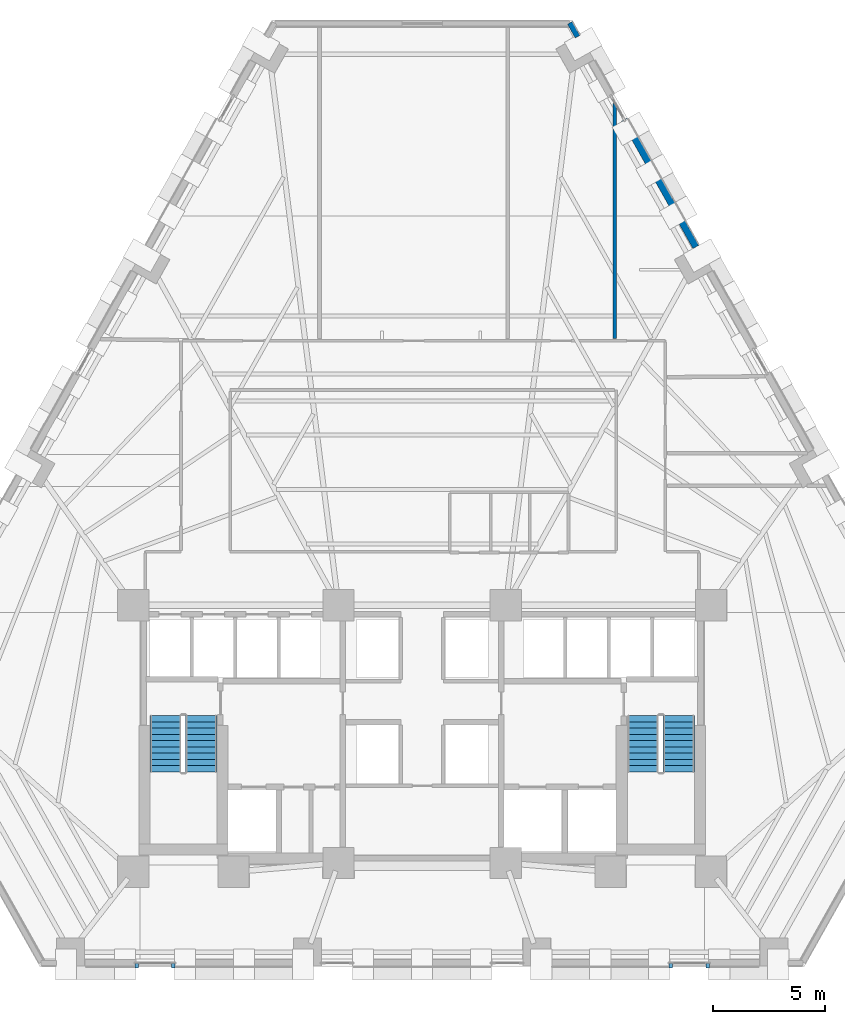
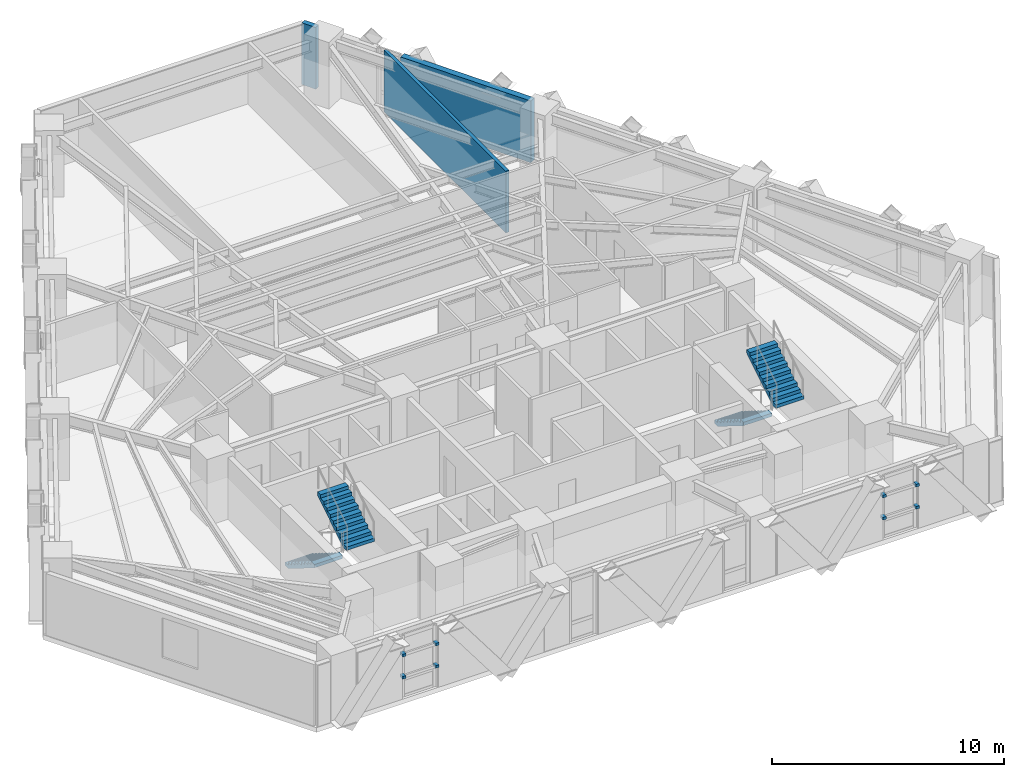
# One storey, part 9 of 13: 8 discrete accessories, 4 stair flights, 3 walls, 2 elements without a shape of their own.
"""IFC4 building model written with IfcOpenShell, lengths in metres."""

from ifc_helpers import new_model, si_unit, direction, frame, frame_2d, origin, origin_2d, place, context, subcontext, project, spatial, polyline, rectangle, outline, extrude, material, layer, layer_set, type_object, element, aggregate, save


model = new_model("IFC4")

# Units and contexts
model_context = context("Model", 3, precision=1e-05, world=origin(), true_north=direction((0.0, 1.0)))
body_context = subcontext(model_context, "Body", "Model", "MODEL_VIEW")
ifc_project = project(units=[si_unit("LENGTHUNIT", "METRE"), si_unit("AREAUNIT", "SQUARE_METRE"), si_unit("VOLUMEUNIT", "CUBIC_METRE"), si_unit("PLANEANGLEUNIT", "RADIAN"), si_unit("MASSUNIT", "GRAM", prefix="KILO")], contexts=[model_context])

# Site, building, storey
site_placement = place(None, origin())
site = spatial("IfcSite", under=ifc_project, at=site_placement, CompositionType="ELEMENT")
building_placement = place(site_placement, origin())
building = spatial("IfcBuilding", under=site, at=building_placement, Name="Quenlor Broadcast Tower", CompositionType="ELEMENT")
storey_placement = place(building_placement, frame((0.0, 0.0, 69.60009765625)))
storey = spatial("IfcBuildingStorey", under=building, at=storey_placement, Name="L18", CompositionType="ELEMENT", Elevation=69.60009765625)

# Walls
ifc_material_1 = material(Name="Gypsum Fireboard Partition", Category="other")
ifc_layer_1 = layer(ifc_material_1, 0.159912109375)
ifc_layer_set_1 = layer_set([ifc_layer_1], Name="Fire Rated Shaft and Corridor Partition 160")
wall_type_1 = type_object("IfcWallType", Name="Fire Rated Shaft and Corridor Partition 160", PredefinedType="PARTITIONING", material=ifc_layer_set_1)
wall_1_placement = place(storey_placement, frame((8.639892578125, 17.693115234375, 0.0), z_axis=(0.0, 0.0, 1.0), x_axis=(0.0, -1.0, 0.0)))
element("IfcWall", 1, at=wall_1_placement, inside=storey, type_object=wall_type_1, Name="L18 Interior Wall PW-DV-03", PredefinedType="PARTITIONING", context=body_context, shape_type="SweptSolid", body=[
    extrude(rectangle(XDim=10.533203125, YDim=0.159912109375, at=frame_2d((5.2666015625, 0.0))), origin(), (0.0, 0.0, 1.0), 3.25),
])
ifc_material_2 = material(Name="Precast concrete C40/50", Category="concrete")
ifc_layer_2 = layer(ifc_material_2, 0.239990234375)
ifc_layer_set_2 = layer_set([ifc_layer_2], Name="Terrace Threshold Precast Concrete C40/50 Wall 240")
wall_type_2 = type_object("IfcWallType", Name="Terrace Threshold Precast Concrete C40/50 Wall 240", PredefinedType="STANDARD", material=ifc_layer_set_2)
wall_2_placement = place(storey_placement, frame((6.621826171875, 21.30126953125, 0.0), z_axis=(0.0, 0.0, 1.0), x_axis=(0.490261239633, -0.871575537125, 0.0)))
element("IfcWall", 2, at=wall_2_placement, inside=storey, type_object=wall_type_2, Name="L18 Exterior Wall L18-SHD-NES0", PredefinedType="STANDARD", context=body_context, shape_type="SweptSolid", body=[
    extrude(rectangle(XDim=0.7080078125, YDim=0.239990234375, at=frame_2d((0.35400390625, 0.0))), origin(), (0.0, 0.0, 1.0), 3.25),
])
ifc_material_3 = material(Name="Precast concrete C40/50", Category="concrete")
ifc_layer_3 = layer(ifc_material_3, 0.300048828125)
ifc_layer_set_3 = layer_set([ifc_layer_3], Name="Terracotta Precast Concrete C40/50 Spandrel Wall 300")
wall_type_3 = type_object("IfcWallType", Name="Terracotta Precast Concrete C40/50 Spandrel Wall 300", PredefinedType="STANDARD", material=ifc_layer_set_3)
wall_3_placement = place(storey_placement, frame((9.0634765625, 16.9609375, 0.0), z_axis=(0.0, 0.0, 1.0), x_axis=(0.490261239633, -0.871575537125, 0.0)))
element("IfcWall", 3, at=wall_3_placement, inside=storey, type_object=wall_type_3, Name="L18 Exterior Wall L18-NEA-SP2", PredefinedType="STANDARD", context=body_context, shape_type="SweptSolid", body=[
    extrude(rectangle(XDim=6.54345703125, YDim=0.300048828125, at=frame_2d((3.271728515625, 0.0))), origin(), (0.0, 0.0, 1.0), 3.25),
])

# Stair, stair flights
ifc_material_4 = material(Name="Precast concrete C40/50", Category="concrete")
stair_type = type_object("IfcStairType", Name="Precast Concrete C40/50 Dogleg Stair H350", PredefinedType="HALF_TURN_STAIR", material=ifc_material_4)
stair_1_placement = place(storey_placement, origin())
stair_1 = element("IfcStair", 4, at=stair_1_placement, inside=storey, type_object=stair_type, Name="L18 West Core Fire-Isolated Exit Stair ST-1", PredefinedType="HALF_TURN_STAIR")
ifc_material_5 = material(Name="Precast concrete C40/50", Category="concrete")
ifc_layer_4 = layer(ifc_material_5, 0.159912109375)
ifc_layer_set_4 = layer_set([ifc_layer_4], Name="Precast Concrete C40/50 Stair Flight H350")
stair_flight_type = type_object("IfcStairFlightType", Name="Precast Concrete C40/50 Stair Flight H350", PredefinedType="STRAIGHT", material=ifc_layer_set_4)
stair_flight_1_placement = place(storey_placement, frame((-11.5, -9.75, 0.0), z_axis=(0.0, 0.0, 1.0), x_axis=(0.0, -1.0, 0.0)))
stair_flight_1 = element("IfcStairFlight", 5, at=stair_flight_1_placement, type_object=stair_flight_type, Name="ST-1 flight 1", NumberOfRisers=10, NumberOfTreads=9, PredefinedType="STRAIGHT", RiserHeight=0.175, TreadLength=0.28, context=body_context, shape_type="SweptSolid", body=[
    extrude(outline(polyline([(0.0, 0.0), (0.0, 0.175048828125), (0.280029296875, 0.175048828125), (0.280029296875, 0.35009765625), (0.56005859375, 0.35009765625), (0.56005859375, 0.52490234375), (0.840087890625, 0.52490234375), (0.840087890625, 0.699951171875), (1.1201171875, 0.699951171875), (1.1201171875, 0.875), (1.39990234375, 0.875), (1.39990234375, 1.050048828125), (1.679931640625, 1.050048828125), (1.679931640625, 1.22509765625), (1.9599609375, 1.22509765625), (1.9599609375, 1.39990234375), (2.239990234375, 1.39990234375), (2.239990234375, 1.574951171875), (2.52001953125, 1.574951171875), (2.52001953125, 1.75), (2.52001953125, 1.398193359375), (0.28271484375, 0.0), (0.0, 0.0)])), frame((0.0, 0.699951171875, 0.0), z_axis=(0.0, -1.0, 0.0), x_axis=(1.0, 0.0, 0.0)), (0.0, 0.0, 1.0), 1.39990234375),
])
stair_flight_2_placement = place(storey_placement, frame((-9.89990234375, -12.27001953125, 1.75), z_axis=(0.0, 0.0, 1.0), x_axis=(0.0, 1.0, 0.0)))
stair_flight_2 = element("IfcStairFlight", 6, at=stair_flight_2_placement, type_object=stair_flight_type, Name="ST-1 flight 2", NumberOfRisers=10, NumberOfTreads=9, PredefinedType="STRAIGHT", RiserHeight=0.175, TreadLength=0.28, context=body_context, shape_type="SweptSolid", body=[
    extrude(outline(polyline([(0.0, 0.0), (0.0, 0.175048828125), (0.280029296875, 0.175048828125), (0.280029296875, 0.35009765625), (0.56005859375, 0.35009765625), (0.56005859375, 0.52490234375), (0.840087890625, 0.52490234375), (0.840087890625, 0.699951171875), (1.1201171875, 0.699951171875), (1.1201171875, 0.875), (1.39990234375, 0.875), (1.39990234375, 1.050048828125), (1.679931640625, 1.050048828125), (1.679931640625, 1.22509765625), (1.9599609375, 1.22509765625), (1.9599609375, 1.39990234375), (2.239990234375, 1.39990234375), (2.239990234375, 1.574951171875), (2.52001953125, 1.574951171875), (2.52001953125, 1.75), (2.52001953125, 1.398193359375), (0.28271484375, 0.0), (0.0, 0.0)])), frame((0.0, 0.699951171875, 0.0), z_axis=(0.0, -1.0, 0.0), x_axis=(1.0, 0.0, 0.0)), (0.0, 0.0, 1.0), 1.39990234375),
])
aggregate(stair_1, [stair_flight_1, stair_flight_2])

stair_2_placement = place(storey_placement, origin())
stair_2 = element("IfcStair", 7, at=stair_2_placement, inside=storey, type_object=stair_type, Name="L18 East Core Fire-Isolated Exit Stair ST-2", PredefinedType="HALF_TURN_STAIR")
stair_flight_3_placement = place(storey_placement, frame((9.89990234375, -9.75, 0.0), z_axis=(0.0, 0.0, 1.0), x_axis=(0.0, -1.0, 0.0)))
stair_flight_3 = element("IfcStairFlight", 8, at=stair_flight_3_placement, type_object=stair_flight_type, Name="ST-2 flight 1", NumberOfRisers=10, NumberOfTreads=9, PredefinedType="STRAIGHT", RiserHeight=0.175, TreadLength=0.28, context=body_context, shape_type="SweptSolid", body=[
    extrude(outline(polyline([(0.0, 0.0), (0.0, 0.175048828125), (0.280029296875, 0.175048828125), (0.280029296875, 0.35009765625), (0.56005859375, 0.35009765625), (0.56005859375, 0.52490234375), (0.840087890625, 0.52490234375), (0.840087890625, 0.699951171875), (1.1201171875, 0.699951171875), (1.1201171875, 0.875), (1.39990234375, 0.875), (1.39990234375, 1.050048828125), (1.679931640625, 1.050048828125), (1.679931640625, 1.22509765625), (1.9599609375, 1.22509765625), (1.9599609375, 1.39990234375), (2.239990234375, 1.39990234375), (2.239990234375, 1.574951171875), (2.52001953125, 1.574951171875), (2.52001953125, 1.75), (2.52001953125, 1.398193359375), (0.28271484375, 0.0), (0.0, 0.0)])), frame((0.0, 0.699951171875, 0.0), z_axis=(0.0, -1.0, 0.0), x_axis=(1.0, 0.0, 0.0)), (0.0, 0.0, 1.0), 1.39990234375),
])
stair_flight_4_placement = place(storey_placement, frame((11.5, -12.27001953125, 1.75), z_axis=(0.0, 0.0, 1.0), x_axis=(0.0, 1.0, 0.0)))
stair_flight_4 = element("IfcStairFlight", 9, at=stair_flight_4_placement, type_object=stair_flight_type, Name="ST-2 flight 2", NumberOfRisers=10, NumberOfTreads=9, PredefinedType="STRAIGHT", RiserHeight=0.175, TreadLength=0.28, context=body_context, shape_type="SweptSolid", body=[
    extrude(outline(polyline([(0.0, 0.0), (0.0, 0.175048828125), (0.280029296875, 0.175048828125), (0.280029296875, 0.35009765625), (0.56005859375, 0.35009765625), (0.56005859375, 0.52490234375), (0.840087890625, 0.52490234375), (0.840087890625, 0.699951171875), (1.1201171875, 0.699951171875), (1.1201171875, 0.875), (1.39990234375, 0.875), (1.39990234375, 1.050048828125), (1.679931640625, 1.050048828125), (1.679931640625, 1.22509765625), (1.9599609375, 1.22509765625), (1.9599609375, 1.39990234375), (2.239990234375, 1.39990234375), (2.239990234375, 1.574951171875), (2.52001953125, 1.574951171875), (2.52001953125, 1.75), (2.52001953125, 1.398193359375), (0.28271484375, 0.0), (0.0, 0.0)])), frame((0.0, 0.699951171875, 0.0), z_axis=(0.0, -1.0, 0.0), x_axis=(1.0, 0.0, 0.0)), (0.0, 0.0, 1.0), 1.39990234375),
])
aggregate(stair_2, [stair_flight_3, stair_flight_4])

# Discrete accessories
ifc_material_6 = material(Name="Aluminium 6063-T6", Category="aluminium")
discrete_accessory_type = type_object("IfcDiscreteAccessoryType", Name="Stainless Mullion Baguette Support Bracket", PredefinedType="BRACKET", material=ifc_material_6)
for number, where, z_axis, x_axis, name in (
    (10, (12.794921875, -20.949951171875, 1.10009765625), (0.0, 0.0, 1.0), (-1.0, 0.0, 0.0), "L18 Baguette Mullion Bracket 1.1"),
    (11, (11.146484375, -20.949951171875, 1.10009765625), (0.0, 0.0, 1.0), (-1.0, 0.0, 0.0), "L18 Baguette Mullion Bracket 1.2"),
    (12, (12.794921875, -20.949951171875, 2.27001953125), (0.0, 0.0, 1.0), (-1.0, 0.0, 0.0), "L18 Baguette Mullion Bracket 2.1"),
    (13, (11.146484375, -20.949951171875, 2.27001953125), (0.0, 0.0, 1.0), (-1.0, 0.0, 0.0), "L18 Baguette Mullion Bracket 2.2"),
    (14, (-11.146484375, -20.949951171875, 1.10009765625), (0.0, 0.0, 1.0), (-1.0, 0.0, 0.0), "L18 Baguette Mullion Bracket 1.1"),
    (15, (-12.794921875, -20.949951171875, 1.10009765625), (0.0, 0.0, 1.0), (-1.0, 0.0, 0.0), "L18 Baguette Mullion Bracket 1.2"),
    (16, (-11.146484375, -20.949951171875, 2.27001953125), (0.0, 0.0, 1.0), (-1.0, 0.0, 0.0), "L18 Baguette Mullion Bracket 2.1"),
    (17, (-12.794921875, -20.949951171875, 2.27001953125), (0.0, 0.0, 1.0), (-1.0, 0.0, 0.0), "L18 Baguette Mullion Bracket 2.2"),
):
    element("IfcDiscreteAccessory", number, at=place(storey_placement, frame(where, z_axis=z_axis, x_axis=x_axis)), inside=storey, type_object=discrete_accessory_type, Name=name, PredefinedType="BRACKET", context=body_context, shape_type="SweptSolid", body=[
        extrude(rectangle(XDim=0.159912109375, YDim=0.239990234375, at=origin_2d()), origin(), (0.0, 0.0, 1.0), 0.139892578125),
    ])

save(model, "model.ifc")
